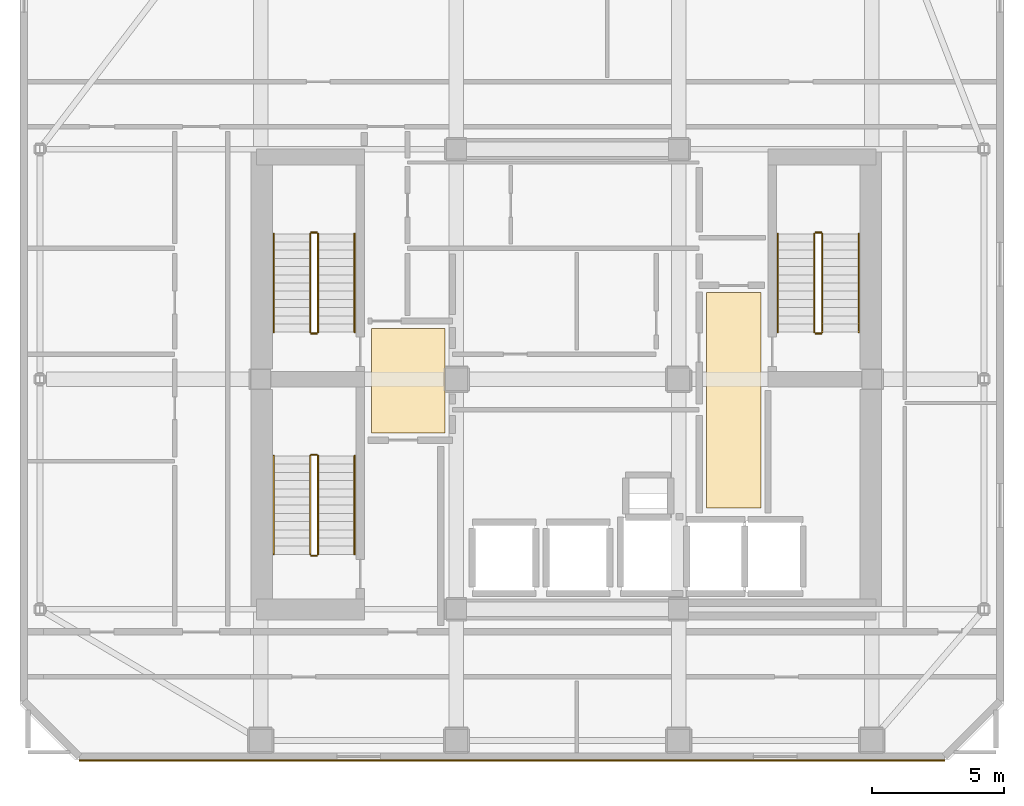
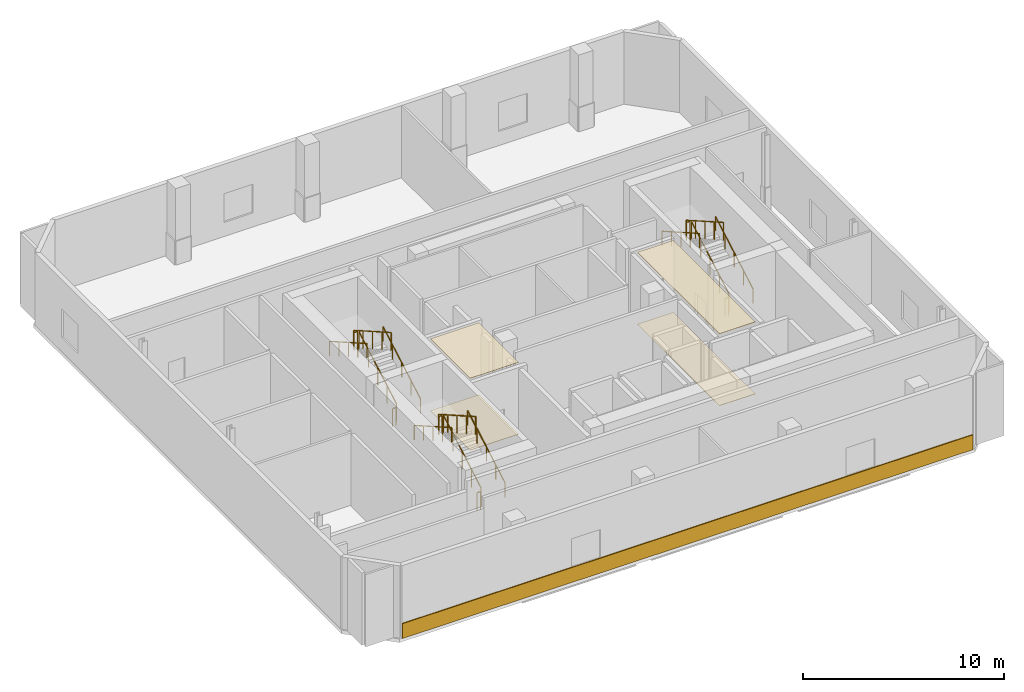
# One storey, part 9 of 10: 18 railings, 5 coverings.
"""IFC4 building model written with IfcOpenShell, lengths in metres."""

from ifc_helpers import new_model, si_unit, direction, frame, frame_2d, origin, origin_2d, place, context, subcontext, project, spatial, polyline, rectangle, outline, extrude, material, layer, layer_set, type_object, element, save


model = new_model("IFC4")

# Units and contexts
model_context = context("Model", 3, precision=1e-05, world=origin(), true_north=direction((0.0, 1.0)))
body_context = subcontext(model_context, "Body", "Model", "MODEL_VIEW")
ifc_project = project(units=[si_unit("LENGTHUNIT", "METRE"), si_unit("AREAUNIT", "SQUARE_METRE"), si_unit("VOLUMEUNIT", "CUBIC_METRE"), si_unit("PLANEANGLEUNIT", "RADIAN"), si_unit("MASSUNIT", "GRAM", prefix="KILO")], contexts=[model_context])

# Site, building, storey
site_placement = place(None, origin())
site = spatial("IfcSite", under=ifc_project, at=site_placement, CompositionType="ELEMENT")
building_placement = place(site_placement, origin())
building = spatial("IfcBuilding", under=site, at=building_placement, Name="Solanera Arch Residences", CompositionType="ELEMENT")
storey_placement = place(building_placement, frame((0.0, 0.0, 268.8798828125)))
storey = spatial("IfcBuildingStorey", under=building, at=storey_placement, Name="L78", CompositionType="ELEMENT", Elevation=268.8798828125)

# Coverings
ifc_material_1 = material(Name="Porcelain Acoustic Floor Tile", Category="ceramic")
ifc_layer_1 = layer(ifc_material_1, 0.02001953125)
ifc_layer_set_1 = layer_set([ifc_layer_1], Name="Porcelain Acoustic Floor Tile")
covering_type_1 = type_object("IfcCoveringType", Name="Porcelain Acoustic Floor Finish FLR-20", PredefinedType="FLOORING", material=ifc_layer_set_1)
covering_1_placement = place(storey_placement, origin())
element("IfcCovering", 1, at=covering_1_placement, inside=storey, type_object=covering_type_1, Name="L78-FFL-W Porcelain Floor Finish", PredefinedType="FLOORING", context=body_context, shape_type="SweptSolid", body=[
    extrude(outline(polyline([(20.375, 28.675048828125), (17.594970703125, 28.675048828125), (17.594970703125, 32.625), (20.375, 32.625), (20.375, 28.675048828125)])), origin(), (0.0, 0.0, 1.0), 0.02001953125),
])
covering_2_placement = place(storey_placement, origin())
element("IfcCovering", 2, at=covering_2_placement, inside=storey, type_object=covering_type_1, Name="L78-FFL-E Porcelain Floor Finish", PredefinedType="FLOORING", context=body_context, shape_type="SweptSolid", body=[
    extrude(outline(polyline([(32.304931640625, 25.824951171875), (30.25, 25.824951171875), (30.25, 33.97509765625), (32.304931640625, 33.97509765625), (32.304931640625, 25.824951171875)])), origin(), (0.0, 0.0, 1.0), 0.02001953125),
])
ifc_material_2 = material(Name="Philippine Adobe Travertine Cladding", Category="masonry")
ifc_layer_2 = layer(ifc_material_2, 0.06005859375)
ifc_layer_set_2 = layer_set([ifc_layer_2], Name="Philippine Adobe Travertine Cladding")
covering_type_2 = type_object("IfcCoveringType", Name="Precast Pier Stone Cladding CLD-60", PredefinedType="CLADDING", material=ifc_layer_set_2)
covering_3_placement = place(storey_placement, frame((39.2548828125, 16.284912109375, 0.0), z_axis=(0.0, 0.0, 1.0), x_axis=(-1.0, 0.0, 0.0)))
element("IfcCovering", 3, at=covering_3_placement, inside=storey, type_object=covering_type_2, Name="L78 S Precast Spandrel Stone Band", PredefinedType="CLADDING", context=body_context, shape_type="SweptSolid", body=[
    extrude(rectangle(XDim=32.7099609375, YDim=0.06005859375, at=frame_2d((16.35498046875, 0.0))), origin(), (0.0, 0.0, 1.0), 0.900146484375),
])

# Railings
ifc_material_3 = material(Name="Steel S355 (ASTM A992 / A572 Grade 50)", Category="steel")
railing_type_1 = type_object("IfcRailingType", Name="Stair Guardrail GR-1100", PredefinedType="GUARDRAIL", material=ifc_material_3)
railing_1_placement = place(storey_placement, frame((15.570068359375, 32.47998046875, 0.162109375)))
element("IfcRailing", 4, at=railing_1_placement, inside=storey, type_object=railing_type_1, Name="L78 ST-T1 stair guard 1", PredefinedType="GUARDRAIL", context=body_context, shape_type="SweptSolid", body=[
    extrude(rectangle(XDim=0.048095703125, YDim=0.048095703125, at=origin_2d()), frame((0.0, 0.0, 1.076171875), z_axis=(0.0, 0.868509601589, 0.495672343336), x_axis=(-1.0, 0.0, 0.0)), (0.0, 0.0, 1.0), 4.283203125),
    extrude(rectangle(XDim=0.0419921875, YDim=0.0419921875, at=origin_2d()), origin(), (0.0, 0.0, 1.0), 1.052001953125),
    extrude(rectangle(XDim=0.0419921875, YDim=0.0419921875, at=origin_2d()), frame((0.0, 0.929931640625, 0.53076171875)), (0.0, 0.0, 1.0), 1.052001953125),
    extrude(rectangle(XDim=0.0419921875, YDim=0.0419921875, at=origin_2d()), frame((0.0, 1.85986328125, 1.0615234375)), (0.0, 0.0, 1.0), 1.052001953125),
    extrude(rectangle(XDim=0.0419921875, YDim=0.0419921875, at=origin_2d()), frame((0.0, 2.7900390625, 1.59228515625)), (0.0, 0.0, 1.0), 1.052001953125),
    extrude(rectangle(XDim=0.0419921875, YDim=0.0419921875, at=origin_2d()), frame((0.0, 3.719970703125, 2.123046875)), (0.0, 0.0, 1.0), 1.052001953125),
])
railing_2_placement = place(storey_placement, frame((15.52001953125, 36.25, 2.28515625)))
element("IfcRailing", 5, at=railing_2_placement, inside=storey, type_object=railing_type_1, Name="L78 ST-T1 stair guard 2", PredefinedType="GUARDRAIL", context=body_context, shape_type="SweptSolid", body=[
    extrude(rectangle(XDim=0.048095703125, YDim=0.048095703125, at=origin_2d()), frame((0.0, 0.0, 1.076171875), z_axis=(-1.0, 0.0, 0.0), x_axis=(0.0, -1.0, 0.0)), (0.0, 0.0, 1.0), 0.199951171875),
    extrude(rectangle(XDim=0.0419921875, YDim=0.0419921875, at=origin_2d()), origin(), (0.0, 0.0, 1.0), 1.052001953125),
    extrude(rectangle(XDim=0.0419921875, YDim=0.0419921875, at=origin_2d()), frame((-0.199951171875, 0.0, 0.0)), (0.0, 0.0, 1.0), 1.052001953125),
])
railing_3_placement = place(storey_placement, frame((15.27001953125, 36.199951171875, 2.4619140625)))
element("IfcRailing", 6, at=railing_3_placement, inside=storey, type_object=railing_type_1, Name="L78 ST-T1 stair guard 3", PredefinedType="GUARDRAIL", context=body_context, shape_type="SweptSolid", body=[
    extrude(rectangle(XDim=0.048095703125, YDim=0.048095703125, at=origin_2d()), frame((0.0, 0.0, 1.076171875), z_axis=(0.0, -0.868485062918, 0.495715337153), x_axis=(1.0, 0.0, 0.0)), (0.0, 0.0, 1.0), 4.283203125),
    extrude(rectangle(XDim=0.0419921875, YDim=0.0419921875, at=origin_2d()), origin(), (0.0, 0.0, 1.0), 1.052001953125),
    extrude(rectangle(XDim=0.0419921875, YDim=0.0419921875, at=origin_2d()), frame((0.0, -0.929931640625, 0.53076171875)), (0.0, 0.0, 1.0), 1.052001953125),
    extrude(rectangle(XDim=0.0419921875, YDim=0.0419921875, at=origin_2d()), frame((0.0, -1.85986328125, 1.0615234375)), (0.0, 0.0, 1.0), 1.052001953125),
    extrude(rectangle(XDim=0.0419921875, YDim=0.0419921875, at=origin_2d()), frame((0.0, -2.7900390625, 1.592529296875)), (0.0, 0.0, 1.0), 1.052001953125),
    extrude(rectangle(XDim=0.0419921875, YDim=0.0419921875, at=origin_2d()), frame((0.0, -3.719970703125, 2.123291015625)), (0.0, 0.0, 1.0), 1.052001953125),
])
railing_4_placement = place(storey_placement, frame((15.52001953125, 32.429931640625, -0.014892578125)))
element("IfcRailing", 7, at=railing_4_placement, inside=storey, type_object=railing_type_1, Name="L78 ST-T1 stair guard 4", PredefinedType="GUARDRAIL", context=body_context, shape_type="SweptSolid", body=[
    extrude(rectangle(XDim=0.048095703125, YDim=0.048095703125, at=origin_2d()), frame((0.0, 0.0, 1.076171875), z_axis=(-1.0, 0.0, 0.0), x_axis=(0.0, -1.0, 0.0)), (0.0, 0.0, 1.0), 0.199951171875),
    extrude(rectangle(XDim=0.0419921875, YDim=0.0419921875, at=origin_2d()), origin(), (0.0, 0.0, 1.0), 1.052001953125),
    extrude(rectangle(XDim=0.0419921875, YDim=0.0419921875, at=origin_2d()), frame((-0.199951171875, 0.0, 0.0)), (0.0, 0.0, 1.0), 1.052001953125),
])
railing_5_placement = place(storey_placement, frame((34.6298828125, 32.47998046875, 0.162109375)))
element("IfcRailing", 8, at=railing_5_placement, inside=storey, type_object=railing_type_1, Name="L78 ST-T2 stair guard 1", PredefinedType="GUARDRAIL", context=body_context, shape_type="SweptSolid", body=[
    extrude(rectangle(XDim=0.048095703125, YDim=0.048095703125, at=origin_2d()), frame((0.0, 0.0, 1.076171875), z_axis=(0.0, 0.868509601589, 0.495672343336), x_axis=(-1.0, 0.0, 0.0)), (0.0, 0.0, 1.0), 4.283203125),
    extrude(rectangle(XDim=0.0419921875, YDim=0.0419921875, at=origin_2d()), origin(), (0.0, 0.0, 1.0), 1.052001953125),
    extrude(rectangle(XDim=0.0419921875, YDim=0.0419921875, at=origin_2d()), frame((0.0, 0.929931640625, 0.53076171875)), (0.0, 0.0, 1.0), 1.052001953125),
    extrude(rectangle(XDim=0.0419921875, YDim=0.0419921875, at=origin_2d()), frame((0.0, 1.85986328125, 1.0615234375)), (0.0, 0.0, 1.0), 1.052001953125),
    extrude(rectangle(XDim=0.0419921875, YDim=0.0419921875, at=origin_2d()), frame((0.0, 2.7900390625, 1.59228515625)), (0.0, 0.0, 1.0), 1.052001953125),
    extrude(rectangle(XDim=0.0419921875, YDim=0.0419921875, at=origin_2d()), frame((0.0, 3.719970703125, 2.123046875)), (0.0, 0.0, 1.0), 1.052001953125),
])
railing_6_placement = place(storey_placement, frame((34.580078125, 36.25, 2.28515625)))
element("IfcRailing", 9, at=railing_6_placement, inside=storey, type_object=railing_type_1, Name="L78 ST-T2 stair guard 2", PredefinedType="GUARDRAIL", context=body_context, shape_type="SweptSolid", body=[
    extrude(rectangle(XDim=0.048095703125, YDim=0.048095703125, at=origin_2d()), frame((0.0, 0.0, 1.076171875), z_axis=(-1.0, 0.0, 0.0), x_axis=(0.0, -1.0, 0.0)), (0.0, 0.0, 1.0), 0.2001953125),
    extrude(rectangle(XDim=0.0419921875, YDim=0.0419921875, at=origin_2d()), origin(), (0.0, 0.0, 1.0), 1.052001953125),
    extrude(rectangle(XDim=0.0419921875, YDim=0.0419921875, at=origin_2d()), frame((-0.2001953125, 0.0, 0.0)), (0.0, 0.0, 1.0), 1.052001953125),
])
railing_7_placement = place(storey_placement, frame((34.330078125, 36.199951171875, 2.4619140625)))
element("IfcRailing", 10, at=railing_7_placement, inside=storey, type_object=railing_type_1, Name="L78 ST-T2 stair guard 3", PredefinedType="GUARDRAIL", context=body_context, shape_type="SweptSolid", body=[
    extrude(rectangle(XDim=0.048095703125, YDim=0.048095703125, at=origin_2d()), frame((0.0, 0.0, 1.076171875), z_axis=(0.0, -0.868485062918, 0.495715337153), x_axis=(1.0, 0.0, 0.0)), (0.0, 0.0, 1.0), 4.283203125),
    extrude(rectangle(XDim=0.0419921875, YDim=0.0419921875, at=origin_2d()), origin(), (0.0, 0.0, 1.0), 1.052001953125),
    extrude(rectangle(XDim=0.0419921875, YDim=0.0419921875, at=origin_2d()), frame((0.0, -0.929931640625, 0.53076171875)), (0.0, 0.0, 1.0), 1.052001953125),
    extrude(rectangle(XDim=0.0419921875, YDim=0.0419921875, at=origin_2d()), frame((0.0, -1.85986328125, 1.0615234375)), (0.0, 0.0, 1.0), 1.052001953125),
    extrude(rectangle(XDim=0.0419921875, YDim=0.0419921875, at=origin_2d()), frame((0.0, -2.7900390625, 1.592529296875)), (0.0, 0.0, 1.0), 1.052001953125),
    extrude(rectangle(XDim=0.0419921875, YDim=0.0419921875, at=origin_2d()), frame((0.0, -3.719970703125, 2.123291015625)), (0.0, 0.0, 1.0), 1.052001953125),
])
railing_8_placement = place(storey_placement, frame((34.580078125, 32.429931640625, -0.014892578125)))
element("IfcRailing", 11, at=railing_8_placement, inside=storey, type_object=railing_type_1, Name="L78 ST-T2 stair guard 4", PredefinedType="GUARDRAIL", context=body_context, shape_type="SweptSolid", body=[
    extrude(rectangle(XDim=0.048095703125, YDim=0.048095703125, at=origin_2d()), frame((0.0, 0.0, 1.076171875), z_axis=(-1.0, 0.0, 0.0), x_axis=(0.0, -1.0, 0.0)), (0.0, 0.0, 1.0), 0.2001953125),
    extrude(rectangle(XDim=0.0419921875, YDim=0.0419921875, at=origin_2d()), origin(), (0.0, 0.0, 1.0), 1.052001953125),
    extrude(rectangle(XDim=0.0419921875, YDim=0.0419921875, at=origin_2d()), frame((-0.2001953125, 0.0, 0.0)), (0.0, 0.0, 1.0), 1.052001953125),
])
railing_9_placement = place(storey_placement, frame((15.570068359375, 24.080078125, 0.162109375)))
element("IfcRailing", 12, at=railing_9_placement, inside=storey, type_object=railing_type_1, Name="L78 ST-T3 stair guard 1", PredefinedType="GUARDRAIL", context=body_context, shape_type="SweptSolid", body=[
    extrude(rectangle(XDim=0.048095703125, YDim=0.048095703125, at=origin_2d()), frame((0.0, 0.0, 1.076171875), z_axis=(0.0, 0.868509601589, 0.495672343336), x_axis=(-1.0, 0.0, 0.0)), (0.0, 0.0, 1.0), 4.283203125),
    extrude(rectangle(XDim=0.0419921875, YDim=0.0419921875, at=origin_2d()), origin(), (0.0, 0.0, 1.0), 1.052001953125),
    extrude(rectangle(XDim=0.0419921875, YDim=0.0419921875, at=origin_2d()), frame((0.0, 0.929931640625, 0.53076171875)), (0.0, 0.0, 1.0), 1.052001953125),
    extrude(rectangle(XDim=0.0419921875, YDim=0.0419921875, at=origin_2d()), frame((0.0, 1.85986328125, 1.0615234375)), (0.0, 0.0, 1.0), 1.052001953125),
    extrude(rectangle(XDim=0.0419921875, YDim=0.0419921875, at=origin_2d()), frame((0.0, 2.7900390625, 1.59228515625)), (0.0, 0.0, 1.0), 1.052001953125),
    extrude(rectangle(XDim=0.0419921875, YDim=0.0419921875, at=origin_2d()), frame((0.0, 3.719970703125, 2.123046875)), (0.0, 0.0, 1.0), 1.052001953125),
])
railing_10_placement = place(storey_placement, frame((15.52001953125, 27.85009765625, 2.28515625)))
element("IfcRailing", 13, at=railing_10_placement, inside=storey, type_object=railing_type_1, Name="L78 ST-T3 stair guard 2", PredefinedType="GUARDRAIL", context=body_context, shape_type="SweptSolid", body=[
    extrude(rectangle(XDim=0.048095703125, YDim=0.048095703125, at=origin_2d()), frame((0.0, 0.0, 1.076171875), z_axis=(-1.0, 0.0, 0.0), x_axis=(0.0, -1.0, 0.0)), (0.0, 0.0, 1.0), 0.199951171875),
    extrude(rectangle(XDim=0.0419921875, YDim=0.0419921875, at=origin_2d()), origin(), (0.0, 0.0, 1.0), 1.052001953125),
    extrude(rectangle(XDim=0.0419921875, YDim=0.0419921875, at=origin_2d()), frame((-0.199951171875, 0.0, 0.0)), (0.0, 0.0, 1.0), 1.052001953125),
])
railing_11_placement = place(storey_placement, frame((15.27001953125, 27.800048828125, 2.4619140625)))
element("IfcRailing", 14, at=railing_11_placement, inside=storey, type_object=railing_type_1, Name="L78 ST-T3 stair guard 3", PredefinedType="GUARDRAIL", context=body_context, shape_type="SweptSolid", body=[
    extrude(rectangle(XDim=0.048095703125, YDim=0.048095703125, at=origin_2d()), frame((0.0, 0.0, 1.076171875), z_axis=(0.0, -0.868485062918, 0.495715337153), x_axis=(1.0, 0.0, 0.0)), (0.0, 0.0, 1.0), 4.283203125),
    extrude(rectangle(XDim=0.0419921875, YDim=0.0419921875, at=origin_2d()), origin(), (0.0, 0.0, 1.0), 1.052001953125),
    extrude(rectangle(XDim=0.0419921875, YDim=0.0419921875, at=origin_2d()), frame((0.0, -0.929931640625, 0.53076171875)), (0.0, 0.0, 1.0), 1.052001953125),
    extrude(rectangle(XDim=0.0419921875, YDim=0.0419921875, at=origin_2d()), frame((0.0, -1.85986328125, 1.0615234375)), (0.0, 0.0, 1.0), 1.052001953125),
    extrude(rectangle(XDim=0.0419921875, YDim=0.0419921875, at=origin_2d()), frame((0.0, -2.7900390625, 1.592529296875)), (0.0, 0.0, 1.0), 1.052001953125),
    extrude(rectangle(XDim=0.0419921875, YDim=0.0419921875, at=origin_2d()), frame((0.0, -3.719970703125, 2.123291015625)), (0.0, 0.0, 1.0), 1.052001953125),
])
railing_12_placement = place(storey_placement, frame((15.52001953125, 24.030029296875, -0.014892578125)))
element("IfcRailing", 15, at=railing_12_placement, inside=storey, type_object=railing_type_1, Name="L78 ST-T3 stair guard 4", PredefinedType="GUARDRAIL", context=body_context, shape_type="SweptSolid", body=[
    extrude(rectangle(XDim=0.048095703125, YDim=0.048095703125, at=origin_2d()), frame((0.0, 0.0, 1.076171875), z_axis=(-1.0, 0.0, 0.0), x_axis=(0.0, -1.0, 0.0)), (0.0, 0.0, 1.0), 0.199951171875),
    extrude(rectangle(XDim=0.0419921875, YDim=0.0419921875, at=origin_2d()), origin(), (0.0, 0.0, 1.0), 1.052001953125),
    extrude(rectangle(XDim=0.0419921875, YDim=0.0419921875, at=origin_2d()), frame((-0.199951171875, 0.0, 0.0)), (0.0, 0.0, 1.0), 1.052001953125),
])
ifc_material_4 = material(Name="Steel S355 (ASTM A992 / A572 Grade 50)", Category="steel")
railing_type_2 = type_object("IfcRailingType", Name="Stair Wall Handrail HR-920", PredefinedType="HANDRAIL", material=ifc_material_4)
railing_13_placement = place(storey_placement, frame((16.949951171875, 32.47998046875, 0.177001953125)))
element("IfcRailing", 16, at=railing_13_placement, inside=storey, type_object=railing_type_2, Name="L78 ST-T1 stair handrail 1", PredefinedType="HANDRAIL", context=body_context, shape_type="SweptSolid", body=[
    extrude(rectangle(XDim=0.048095703125, YDim=0.048095703125, at=origin_2d()), frame((0.0, 0.0, 0.8759765625), z_axis=(0.0, 0.868509601589, 0.495672343336), x_axis=(-1.0, 0.0, 0.0)), (0.0, 0.0, 1.0), 4.283203125),
    extrude(rectangle(XDim=0.0419921875, YDim=0.0419921875, at=origin_2d()), origin(), (0.0, 0.0, 1.0), 0.851806640625),
    extrude(rectangle(XDim=0.0419921875, YDim=0.0419921875, at=origin_2d()), frame((0.0, 0.929931640625, 0.53076171875)), (0.0, 0.0, 1.0), 0.851806640625),
    extrude(rectangle(XDim=0.0419921875, YDim=0.0419921875, at=origin_2d()), frame((0.0, 1.85986328125, 1.0615234375)), (0.0, 0.0, 1.0), 0.851806640625),
    extrude(rectangle(XDim=0.0419921875, YDim=0.0419921875, at=origin_2d()), frame((0.0, 2.7900390625, 1.59228515625)), (0.0, 0.0, 1.0), 0.851806640625),
    extrude(rectangle(XDim=0.0419921875, YDim=0.0419921875, at=origin_2d()), frame((0.0, 3.719970703125, 2.123046875)), (0.0, 0.0, 1.0), 0.851806640625),
])
railing_14_placement = place(storey_placement, frame((13.889892578125, 36.199951171875, 2.47705078125)))
element("IfcRailing", 17, at=railing_14_placement, inside=storey, type_object=railing_type_2, Name="L78 ST-T1 stair handrail 2", PredefinedType="HANDRAIL", context=body_context, shape_type="SweptSolid", body=[
    extrude(rectangle(XDim=0.048095703125, YDim=0.048095703125, at=origin_2d()), frame((0.0, 0.0, 0.8759765625), z_axis=(0.0, -0.868509601589, 0.495672343336), x_axis=(1.0, 0.0, 0.0)), (0.0, 0.0, 1.0), 4.283203125),
    extrude(rectangle(XDim=0.0419921875, YDim=0.0419921875, at=origin_2d()), origin(), (0.0, 0.0, 1.0), 0.851806640625),
    extrude(rectangle(XDim=0.0419921875, YDim=0.0419921875, at=origin_2d()), frame((0.0, -0.929931640625, 0.53076171875)), (0.0, 0.0, 1.0), 0.851806640625),
    extrude(rectangle(XDim=0.0419921875, YDim=0.0419921875, at=origin_2d()), frame((0.0, -1.85986328125, 1.0615234375)), (0.0, 0.0, 1.0), 0.851806640625),
    extrude(rectangle(XDim=0.0419921875, YDim=0.0419921875, at=origin_2d()), frame((0.0, -2.7900390625, 1.59228515625)), (0.0, 0.0, 1.0), 0.851806640625),
    extrude(rectangle(XDim=0.0419921875, YDim=0.0419921875, at=origin_2d()), frame((0.0, -3.719970703125, 2.123046875)), (0.0, 0.0, 1.0), 0.851806640625),
])
railing_15_placement = place(storey_placement, frame((36.010009765625, 32.47998046875, 0.177001953125)))
element("IfcRailing", 18, at=railing_15_placement, inside=storey, type_object=railing_type_2, Name="L78 ST-T2 stair handrail 1", PredefinedType="HANDRAIL", context=body_context, shape_type="SweptSolid", body=[
    extrude(rectangle(XDim=0.048095703125, YDim=0.048095703125, at=origin_2d()), frame((0.0, 0.0, 0.8759765625), z_axis=(0.0, 0.868509601589, 0.495672343336), x_axis=(-1.0, 0.0, 0.0)), (0.0, 0.0, 1.0), 4.283203125),
    extrude(rectangle(XDim=0.0419921875, YDim=0.0419921875, at=origin_2d()), origin(), (0.0, 0.0, 1.0), 0.851806640625),
    extrude(rectangle(XDim=0.0419921875, YDim=0.0419921875, at=origin_2d()), frame((0.0, 0.929931640625, 0.53076171875)), (0.0, 0.0, 1.0), 0.851806640625),
    extrude(rectangle(XDim=0.0419921875, YDim=0.0419921875, at=origin_2d()), frame((0.0, 1.85986328125, 1.0615234375)), (0.0, 0.0, 1.0), 0.851806640625),
    extrude(rectangle(XDim=0.0419921875, YDim=0.0419921875, at=origin_2d()), frame((0.0, 2.7900390625, 1.59228515625)), (0.0, 0.0, 1.0), 0.851806640625),
    extrude(rectangle(XDim=0.0419921875, YDim=0.0419921875, at=origin_2d()), frame((0.0, 3.719970703125, 2.123046875)), (0.0, 0.0, 1.0), 0.851806640625),
])
railing_16_placement = place(storey_placement, frame((32.949951171875, 36.199951171875, 2.47705078125)))
element("IfcRailing", 19, at=railing_16_placement, inside=storey, type_object=railing_type_2, Name="L78 ST-T2 stair handrail 2", PredefinedType="HANDRAIL", context=body_context, shape_type="SweptSolid", body=[
    extrude(rectangle(XDim=0.048095703125, YDim=0.048095703125, at=origin_2d()), frame((0.0, 0.0, 0.8759765625), z_axis=(0.0, -0.868509601589, 0.495672343336), x_axis=(1.0, 0.0, 0.0)), (0.0, 0.0, 1.0), 4.283203125),
    extrude(rectangle(XDim=0.0419921875, YDim=0.0419921875, at=origin_2d()), origin(), (0.0, 0.0, 1.0), 0.851806640625),
    extrude(rectangle(XDim=0.0419921875, YDim=0.0419921875, at=origin_2d()), frame((0.0, -0.929931640625, 0.53076171875)), (0.0, 0.0, 1.0), 0.851806640625),
    extrude(rectangle(XDim=0.0419921875, YDim=0.0419921875, at=origin_2d()), frame((0.0, -1.85986328125, 1.0615234375)), (0.0, 0.0, 1.0), 0.851806640625),
    extrude(rectangle(XDim=0.0419921875, YDim=0.0419921875, at=origin_2d()), frame((0.0, -2.7900390625, 1.59228515625)), (0.0, 0.0, 1.0), 0.851806640625),
    extrude(rectangle(XDim=0.0419921875, YDim=0.0419921875, at=origin_2d()), frame((0.0, -3.719970703125, 2.123046875)), (0.0, 0.0, 1.0), 0.851806640625),
])
railing_17_placement = place(storey_placement, frame((16.949951171875, 24.080078125, 0.177001953125)))
element("IfcRailing", 20, at=railing_17_placement, inside=storey, type_object=railing_type_2, Name="L78 ST-T3 stair handrail 1", PredefinedType="HANDRAIL", context=body_context, shape_type="SweptSolid", body=[
    extrude(rectangle(XDim=0.048095703125, YDim=0.048095703125, at=origin_2d()), frame((0.0, 0.0, 0.8759765625), z_axis=(0.0, 0.868509601589, 0.495672343336), x_axis=(-1.0, 0.0, 0.0)), (0.0, 0.0, 1.0), 4.283203125),
    extrude(rectangle(XDim=0.0419921875, YDim=0.0419921875, at=origin_2d()), origin(), (0.0, 0.0, 1.0), 0.851806640625),
    extrude(rectangle(XDim=0.0419921875, YDim=0.0419921875, at=origin_2d()), frame((0.0, 0.929931640625, 0.53076171875)), (0.0, 0.0, 1.0), 0.851806640625),
    extrude(rectangle(XDim=0.0419921875, YDim=0.0419921875, at=origin_2d()), frame((0.0, 1.85986328125, 1.0615234375)), (0.0, 0.0, 1.0), 0.851806640625),
    extrude(rectangle(XDim=0.0419921875, YDim=0.0419921875, at=origin_2d()), frame((0.0, 2.7900390625, 1.59228515625)), (0.0, 0.0, 1.0), 0.851806640625),
    extrude(rectangle(XDim=0.0419921875, YDim=0.0419921875, at=origin_2d()), frame((0.0, 3.719970703125, 2.123046875)), (0.0, 0.0, 1.0), 0.851806640625),
])
railing_18_placement = place(storey_placement, frame((13.889892578125, 27.800048828125, 2.47705078125)))
element("IfcRailing", 21, at=railing_18_placement, inside=storey, type_object=railing_type_2, Name="L78 ST-T3 stair handrail 2", PredefinedType="HANDRAIL", context=body_context, shape_type="SweptSolid", body=[
    extrude(rectangle(XDim=0.048095703125, YDim=0.048095703125, at=origin_2d()), frame((0.0, 0.0, 0.8759765625), z_axis=(0.0, -0.868509601589, 0.495672343336), x_axis=(1.0, 0.0, 0.0)), (0.0, 0.0, 1.0), 4.283203125),
    extrude(rectangle(XDim=0.0419921875, YDim=0.0419921875, at=origin_2d()), origin(), (0.0, 0.0, 1.0), 0.851806640625),
    extrude(rectangle(XDim=0.0419921875, YDim=0.0419921875, at=origin_2d()), frame((0.0, -0.929931640625, 0.53076171875)), (0.0, 0.0, 1.0), 0.851806640625),
    extrude(rectangle(XDim=0.0419921875, YDim=0.0419921875, at=origin_2d()), frame((0.0, -1.85986328125, 1.0615234375)), (0.0, 0.0, 1.0), 0.851806640625),
    extrude(rectangle(XDim=0.0419921875, YDim=0.0419921875, at=origin_2d()), frame((0.0, -2.7900390625, 1.59228515625)), (0.0, 0.0, 1.0), 0.851806640625),
    extrude(rectangle(XDim=0.0419921875, YDim=0.0419921875, at=origin_2d()), frame((0.0, -3.719970703125, 2.123046875)), (0.0, 0.0, 1.0), 0.851806640625),
])

# Coverings
ifc_material_5 = material(Name="Mineral Fibre Acoustic Ceiling Board", Category="gypsum")
ifc_layer_3 = layer(ifc_material_5, 0.02490234375)
ifc_layer_set_3 = layer_set([ifc_layer_3], Name="Mineral Fibre Acoustic Ceiling Board")
covering_type_3 = type_object("IfcCoveringType", Name="Suspended Acoustic Ceiling Board CLG-25", PredefinedType="CEILING", material=ifc_layer_set_3)
covering_4_placement = place(storey_placement, frame((0.0, 0.0, 4.355224609375)))
element("IfcCovering", 22, at=covering_4_placement, inside=storey, type_object=covering_type_3, Name="L78-FFL-W Acoustic Ceiling", PredefinedType="CEILING", context=body_context, shape_type="SweptSolid", body=[
    extrude(outline(polyline([(20.375, 28.675048828125), (17.594970703125, 28.675048828125), (17.594970703125, 32.625), (20.375, 32.625), (20.375, 28.675048828125)])), origin(), (0.0, 0.0, 1.0), 0.02490234375),
])
covering_5_placement = place(storey_placement, frame((0.0, 0.0, 4.355224609375)))
element("IfcCovering", 23, at=covering_5_placement, inside=storey, type_object=covering_type_3, Name="L78-FFL-E Acoustic Ceiling", PredefinedType="CEILING", context=body_context, shape_type="SweptSolid", body=[
    extrude(outline(polyline([(32.304931640625, 25.824951171875), (30.25, 25.824951171875), (30.25, 33.97509765625), (32.304931640625, 33.97509765625), (32.304931640625, 25.824951171875)])), origin(), (0.0, 0.0, 1.0), 0.02490234375),
])

save(model, "model.ifc")
